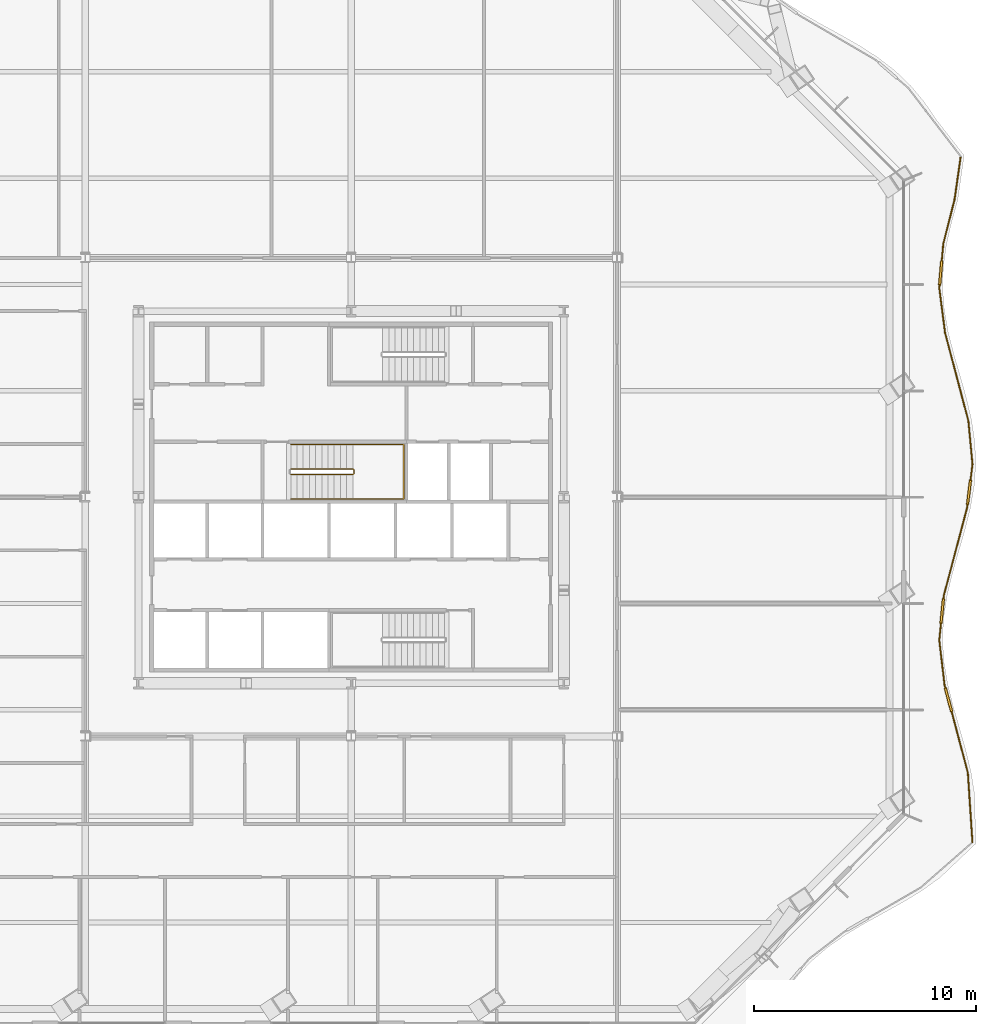
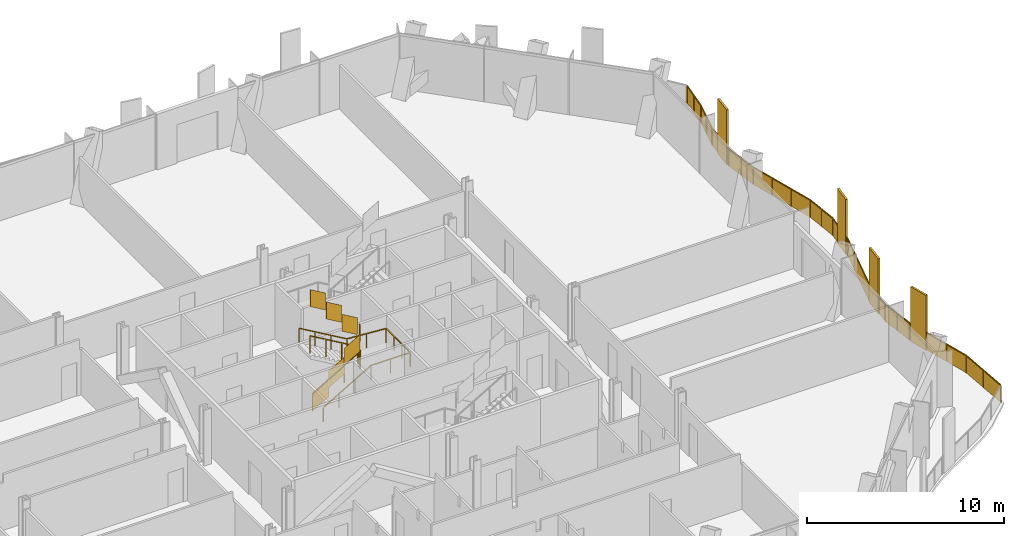
# One storey, part 17 of 20: 3 railings.
"""IFC4 building model written with IfcOpenShell, lengths in metres."""

import ifcopenshell
import ifcopenshell.guid

model = None  # the IFC model being written
_history = None  # IfcOwnerHistory: only IFC2X3 demands one
_inside = {}  # id of a spatial element -> (the spatial element, [elements in it])
_under = {}  # id of a project, library or spatial element -> (it, [spatial elements below it])
_declared = {}  # id of a project -> (the project, [libraries it declares])
_typed = {}  # id of a type object -> (the type object, [elements of that type])
_made_of = {}  # id of a material, layer set ... -> (it, [elements and type objects made of it])


def new_model(schema):
    """Start an empty IFC model of exactly this schema.

    Asked for "IFC4X3", IfcOpenShell would pick the latest addendum, in which some entities
    have other attributes; the version numbers below select the first issue.
    IFC2X3 requires an IfcOwnerHistory on every rooted entity: one is made here for all.
    """
    global model, _history
    if schema == "IFC4X3":
        model = ifcopenshell.file(schema_version=(4, 3, 0, 0))
    else:
        model = ifcopenshell.file(schema=schema)
    _inside.clear()
    _under.clear()
    _declared.clear()
    _typed.clear()
    _made_of.clear()
    _history = None
    if model.schema == "IFC2X3":
        org = make("IfcOrganization", Name="unknown")
        user = make(
            "IfcPersonAndOrganization",
            ThePerson=make("IfcPerson", FamilyName="unknown"),
            TheOrganization=org,
        )
        app = make(
            "IfcApplication",
            ApplicationDeveloper=org,
            Version="unknown",
            ApplicationFullName="unknown",
            ApplicationIdentifier="unknown",
        )
        _history = make(
            "IfcOwnerHistory",
            OwningUser=user,
            OwningApplication=app,
            ChangeAction="ADDED",
            CreationDate=0,
        )
    return model


def make(cls, **values):
    """One entity of the class cls with the attributes given. An attribute that is None is left unset."""
    return model.create_entity(
        cls, **{name: value for name, value in values.items() if value is not None}
    )


def rooted(cls, **values):
    """An entity with a GlobalId (a new one), such as an element, a storey or a relation."""
    return make(cls, GlobalId=ifcopenshell.guid.new(), OwnerHistory=_history, **values)


def si_unit(unit_type, name, prefix=None):
    """IfcSIUnit, for example si_unit("LENGTHUNIT", "METRE", prefix="MILLI")."""
    return make("IfcSIUnit", UnitType=unit_type, Prefix=prefix, Name=name)


def assignment(units):
    """IfcUnitAssignment: the units of a project."""
    return None if units is None else make("IfcUnitAssignment", Units=units)


def point(xyz):
    """IfcCartesianPoint."""
    return None if xyz is None else make("IfcCartesianPoint", Coordinates=xyz)


def direction(xyz):
    """IfcDirection."""
    return None if xyz is None else make("IfcDirection", DirectionRatios=xyz)


def frame(location, z_axis=None, x_axis=None):
    """IfcAxis2Placement3D, a coordinate frame: its origin and axes. An axis left out is left unset."""
    return make(
        "IfcAxis2Placement3D",
        Location=point(location),
        Axis=direction(z_axis),
        RefDirection=direction(x_axis),
    )


def frame_2d(location, x_axis=None):
    """IfcAxis2Placement2D, a coordinate frame in the plane: its origin and x axis."""
    return make(
        "IfcAxis2Placement2D", Location=point(location), RefDirection=direction(x_axis)
    )


def origin():
    """The frame at (0, 0, 0) with its axes left unset."""
    return frame((0.0, 0.0, 0.0))


def origin_2d():
    """The frame at (0, 0) in the plane with its x axis left unset."""
    return frame_2d((0.0, 0.0))


def place(relative_to, where):
    """IfcLocalPlacement: puts the frame where relative to a parent placement (None: the world)."""
    return make(
        "IfcLocalPlacement", PlacementRelTo=relative_to, RelativePlacement=where
    )


def context(
    kind, dimensions, precision=None, world=None, true_north=None, identifier=None
):
    """IfcGeometricRepresentationContext, for example the 3D "Model" context."""
    return make(
        "IfcGeometricRepresentationContext",
        ContextIdentifier=identifier,
        ContextType=kind,
        CoordinateSpaceDimension=dimensions,
        Precision=precision,
        WorldCoordinateSystem=world,
        TrueNorth=true_north,
    )


def subcontext(parent, identifier, kind, view, scale=None):
    """IfcGeometricRepresentationSubContext, for example "Body" below "Model"."""
    return make(
        "IfcGeometricRepresentationSubContext",
        ContextIdentifier=identifier,
        ContextType=kind,
        ParentContext=parent,
        TargetScale=scale,
        TargetView=view,
    )


def project(units=None, contexts=None):
    """IfcProject with its units and contexts."""
    return rooted(
        "IfcProject",
        Name="project",
        RepresentationContexts=contexts,
        UnitsInContext=assignment(units),
    )


def spatial(cls, under=None, at=None, **own):
    """A site, building, storey or space (cls), placed at a placement, below another one or the project."""
    s = rooted(cls, ObjectPlacement=at, **own)
    if under is not None:
        _under.setdefault(under.id(), (under, []))[1].append(s)
    return s


def polyline(points):
    """IfcPolyline through the points."""
    return make("IfcPolyline", Points=[point(p) for p in points])


def profile(cls, at=None, kind="AREA", **sizes):
    """A parametric profile (cls). Its sizes go by their IFC names, for example OverallWidth=200.0."""
    return make(cls, ProfileType=kind, Position=at, **sizes)


def rectangle(**sizes):
    """IfcRectangleProfileDef."""
    return profile("IfcRectangleProfileDef", **sizes)


def outline(outer, holes=None, kind="AREA"):
    """IfcArbitraryClosedProfileDef: a profile drawn as a closed curve; with holes, ...WithVoids."""
    if holes is None:
        return make("IfcArbitraryClosedProfileDef", ProfileType=kind, OuterCurve=outer)
    return make(
        "IfcArbitraryProfileDefWithVoids",
        ProfileType=kind,
        OuterCurve=outer,
        InnerCurves=holes,
    )


def extrude(swept, where, along, depth):
    """IfcExtrudedAreaSolid: the profile swept, set in the frame where, extruded along a direction by depth."""
    return make(
        "IfcExtrudedAreaSolid",
        SweptArea=swept,
        Position=where,
        ExtrudedDirection=direction(along),
        Depth=depth,
    )


def shape(context_of_items, identifier, shape_type, items):
    """IfcShapeRepresentation: the items that make up one representation, for example the "Body"."""
    return make(
        "IfcShapeRepresentation",
        ContextOfItems=context_of_items,
        RepresentationIdentifier=identifier,
        RepresentationType=shape_type,
        Items=items,
    )


def material(Name=None, Category=None):
    """IfcMaterial."""
    return make("IfcMaterial", Name=Name, Category=Category)


def made_of(thing, what):
    """Note that an element or type object is made of a material, layer set ...; save() writes the relation."""
    if what is not None:
        _made_of.setdefault(what.id(), (what, []))[1].append(thing)
    return thing


def type_object(cls, material=None, **own):
    """A type object (cls), such as IfcWallType, which elements share."""
    return made_of(rooted(cls, **own), material)


def element(
    cls,
    number,
    at=None,
    inside=None,
    cuts=None,
    type_object=None,
    material=None,
    context=None,
    identifier="Body",
    shape_type=None,
    held_by="IfcProductDefinitionShape",
    body=None,
    shapes=None,
    **own,
):
    """One element of the class cls, such as IfcWall. Its Tag is "e" and its number.

    at: its placement. inside: the storey or other place that contains it. cuts: it is an
    opening in that element (IfcRelVoidsElement). A single representation is given by context,
    identifier, shape_type and body (its items); several are given by shapes. held_by: the class
    of the entity that holds the representations. save() writes the other relations.
    """
    e = rooted(cls, Tag="e%d" % number, ObjectPlacement=at, **own)
    if body is not None:
        shapes = [shape(context, identifier, shape_type, body)]
    if shapes is not None:
        e.Representation = make(held_by, Representations=shapes)
    if inside is not None:
        _inside.setdefault(inside.id(), (inside, []))[1].append(e)
    if cuts is not None:
        rooted(
            "IfcRelVoidsElement", RelatingBuildingElement=cuts, RelatedOpeningElement=e
        )
    if type_object is not None:
        _typed.setdefault(type_object.id(), (type_object, []))[1].append(e)
    return made_of(e, material)


def aggregate(whole, parts):
    """IfcRelAggregates: a whole, such as a stair, and the parts it consists of."""
    return rooted("IfcRelAggregates", RelatingObject=whole, RelatedObjects=parts)


def save(model, path):
    """Write the relations noted so far, then the file.

    IfcRelAggregates (storeys below a building ...), IfcRelContainedInSpatialStructure (elements
    in a storey), IfcRelDefinesByType, IfcRelAssociatesMaterial and IfcRelDeclares: one each for
    every whole, place, type object, material and project.
    """
    for whole, parts in _under.values():
        aggregate(whole, parts)
    for where, things in _inside.values():
        rooted(
            "IfcRelContainedInSpatialStructure",
            RelatedElements=things,
            RelatingStructure=where,
        )
    for kind, things in _typed.values():
        rooted("IfcRelDefinesByType", RelatedObjects=things, RelatingType=kind)
    for what, things in _made_of.values():
        rooted("IfcRelAssociatesMaterial", RelatedObjects=things, RelatingMaterial=what)
    for by, libraries in _declared.values():
        rooted("IfcRelDeclares", RelatingContext=by, RelatedDefinitions=libraries)
    model.write(path)


model = new_model("IFC4")

# Units and contexts
model_context = context("Model", 3, precision=1e-05, world=origin(), true_north=direction((0.0, 1.0)))
body_context = subcontext(model_context, "Body", "Model", "MODEL_VIEW")
ifc_project = project(units=[si_unit("LENGTHUNIT", "METRE"), si_unit("AREAUNIT", "SQUARE_METRE"), si_unit("VOLUMEUNIT", "CUBIC_METRE"), si_unit("PLANEANGLEUNIT", "RADIAN"), si_unit("MASSUNIT", "GRAM", prefix="KILO")], contexts=[model_context])

# Site, building, storey
site_placement = place(None, origin())
site = spatial("IfcSite", under=ifc_project, at=site_placement, CompositionType="ELEMENT")
building_placement = place(site_placement, origin())
building = spatial("IfcBuilding", under=site, at=building_placement, Name="Cairn Pilgrim Tower", CompositionType="ELEMENT")
storey_placement = place(building_placement, frame((0.0, 0.0, 101.39990234375)))
storey = spatial("IfcBuildingStorey", under=building, at=storey_placement, Name="L24", CompositionType="ELEMENT", Elevation=101.39990234375)

# Railings
ifc_material_1 = material(Name="Bronze anodised aluminium rail, posts and fin screens with laminated glass infill", Category="aluminium")
railing_type_1 = type_object("IfcRailingType", Name="BALCONY GUARD WITH FIN SCREENS", PredefinedType="GUARDRAIL", material=ifc_material_1)
railing_1_placement = place(storey_placement, frame((35.245361328125, -13.178466796875, 0.0)))
element("IfcRailing", 1, at=railing_1_placement, inside=storey, type_object=railing_type_1, Name="Balcony guard BGF-3 with fin screens", PredefinedType="GUARDRAIL", context=body_context, shape_type="SweptSolid", body=[
    extrude(rectangle(XDim=0.050048828125, YDim=0.050048828125, at=origin_2d()), frame((0.0, 0.0, 1.0751953125), z_axis=(-0.065473763639, 0.997854291104, 0.0), x_axis=(-0.997854291104, -0.065473763639, 0.0)), (0.0, 0.0, 1.0), 3.147216796875),
    extrude(rectangle(XDim=1.10009765625, YDim=0.110107421875, at=origin_2d()), frame((-1.080078125, 6.432373046875, 0.0), z_axis=(0.0, 0.0, 1.0), x_axis=(-0.256626282452, 0.966510709281, 0.0)), (0.0, 0.0, 1.0), 3.39990234375),
    extrude(rectangle(XDim=0.050048828125, YDim=0.050048828125, at=origin_2d()), frame((-0.2060546875, 3.140380859375, 1.0751953125), z_axis=(-0.256626282452, 0.966510709281, 0.0), x_axis=(-0.966510709281, -0.256626282452, 0.0)), (0.0, 0.0, 1.0), 2.856201171875),
    extrude(rectangle(XDim=0.050048828125, YDim=0.050048828125, at=origin_2d()), frame((-1.22119140625, 6.964111328125, 1.0751953125), z_axis=(-0.256626282452, 0.966510709281, 0.0), x_axis=(-0.966510709281, -0.256626282452, 0.0)), (0.0, 0.0, 1.0), 0.14990234375),
    extrude(rectangle(XDim=0.050048828125, YDim=0.050048828125, at=origin_2d()), frame((-1.259765625, 7.10888671875, 1.0751953125), z_axis=(-0.11647085906, 0.993194109422, 0.0), x_axis=(-0.993194109422, -0.11647085906, 0.0)), (0.0, 0.0, 1.0), 2.027099609375),
    extrude(rectangle(XDim=1.10009765625, YDim=0.110107421875, at=origin_2d()), frame((-1.363037109375, 10.43994140625, 0.0), z_axis=(0.0, 0.0, 1.0), x_axis=(0.100327489754, 0.994954468707, 0.0)), (0.0, 0.0, 1.0), 3.39990234375),
    extrude(rectangle(XDim=0.050048828125, YDim=0.050048828125, at=origin_2d()), frame((-1.495849609375, 9.1220703125, 1.0751953125), z_axis=(0.100327489754, 0.994954468707, 0.0), x_axis=(-0.994954468707, 0.100327489754, 0.0)), (0.0, 0.0, 1.0), 0.774658203125),
    extrude(rectangle(XDim=0.050048828125, YDim=0.050048828125, at=origin_2d()), frame((-1.307861328125, 10.9873046875, 1.0751953125), z_axis=(0.100327489754, 0.994954468707, 0.0), x_axis=(-0.994954468707, 0.100327489754, 0.0)), (0.0, 0.0, 1.0), 0.14990234375),
    extrude(rectangle(XDim=0.050048828125, YDim=0.050048828125, at=origin_2d()), frame((-1.292724609375, 11.136474609375, 1.0751953125), z_axis=(0.256468664155, 0.966552546066, 0.0), x_axis=(-0.966552546066, 0.256468664155, 0.0)), (0.0, 0.0, 1.0), 4.111328125),
    extrude(rectangle(XDim=1.10009765625, YDim=0.110107421875, at=origin_2d()), frame((-0.15283203125, 15.80517578125, 0.0), z_axis=(0.0, 0.0, 1.0), x_axis=(0.122025917334, 0.992526914244, 0.0)), (0.0, 0.0, 1.0), 3.39990234375),
    extrude(rectangle(XDim=0.050048828125, YDim=0.050048828125, at=origin_2d()), frame((-0.23828125, 15.1103515625, 1.0751953125), z_axis=(0.122025917334, 0.992526914244, 0.0), x_axis=(-0.992526914244, 0.122025917334, 0.0)), (0.0, 0.0, 1.0), 0.150146484375),
    extrude(rectangle(XDim=0.050048828125, YDim=0.050048828125, at=origin_2d()), frame((-0.085693359375, 16.35107421875, 1.0751953125), z_axis=(0.122025917334, 0.992526914244, 0.0), x_axis=(-0.992526914244, 0.122025917334, 0.0)), (0.0, 0.0, 1.0), 0.724609375),
    extrude(rectangle(XDim=0.050048828125, YDim=0.050048828125, at=origin_2d()), frame((0.002685546875, 17.0703125, 1.0751953125), z_axis=(-0.094609876798, 0.995514425416, 0.0), x_axis=(-0.995514425416, -0.094609876798, 0.0)), (0.0, 0.0, 1.0), 1.96630859375),
    extrude(rectangle(XDim=0.050048828125, YDim=0.050048828125, at=origin_2d()), frame((-0.183349609375, 19.02783203125, 1.0751953125), z_axis=(-0.256204617159, 0.966622570679, 0.0), x_axis=(-0.966622570679, -0.256204617159, 0.0)), (0.0, 0.0, 1.0), 4.10693359375),
    extrude(rectangle(XDim=0.050048828125, YDim=0.050048828125, at=origin_2d()), frame((-1.235595703125, 22.997802734375, 1.0751953125), z_axis=(-0.127440564838, 0.991846209064, 0.0), x_axis=(-0.991846209064, -0.127440564838, 0.0)), (0.0, 0.0, 1.0), 2.02880859375),
    extrude(rectangle(XDim=1.10009765625, YDim=0.110107421875, at=origin_2d()), frame((-1.431884765625, 25.707275390625, 0.0), z_axis=(0.0, 0.0, 1.0), x_axis=(0.088848531032, 0.996045148843, 0.0)), (0.0, 0.0, 1.0), 3.39990234375),
    extrude(rectangle(XDim=0.050048828125, YDim=0.050048828125, at=origin_2d()), frame((-1.494140625, 25.010009765625, 1.0751953125), z_axis=(0.088848531032, 0.996045148843, 0.0), x_axis=(-0.996045148843, 0.088848531032, 0.0)), (0.0, 0.0, 1.0), 0.150146484375),
    extrude(rectangle(XDim=0.050048828125, YDim=0.050048828125, at=origin_2d()), frame((-1.383056640625, 26.255126953125, 1.0751953125), z_axis=(0.088848531032, 0.996045148843, 0.0), x_axis=(-0.996045148843, 0.088848531032, 0.0)), (0.0, 0.0, 1.0), 0.772216796875),
    extrude(rectangle(XDim=0.050048828125, YDim=0.050048828125, at=origin_2d()), frame((-1.314453125, 27.0244140625, 1.0751953125), z_axis=(0.247342884955, 0.968928014489, 0.0), x_axis=(-0.968928014489, 0.247342884955, 0.0)), (0.0, 0.0, 1.0), 2.053955078125),
    extrude(rectangle(XDim=0.050048828125, YDim=0.050048828125, at=origin_2d()), frame((-0.806396484375, 29.0146484375, 1.0751953125), z_axis=(0.14167218954, 0.989913627904, 0.0), x_axis=(-0.989913627904, 0.14167218954, 0.0)), (0.0, 0.0, 1.0), 1.90771484375),
    extrude(rectangle(XDim=0.050048828125, YDim=0.050048828125, at=origin_2d()), origin(), (0.0, 0.0, 1.0), 1.050048828125),
    extrude(rectangle(XDim=0.050048828125, YDim=0.050048828125, at=origin_2d()), frame((-0.10302734375, 1.5703125, 0.0)), (0.0, 0.0, 1.0), 1.050048828125),
    extrude(rectangle(XDim=0.050048828125, YDim=0.050048828125, at=origin_2d()), frame((-0.2060546875, 3.140380859375, 0.0)), (0.0, 0.0, 1.0), 1.050048828125),
    extrude(rectangle(XDim=0.050048828125, YDim=0.050048828125, at=origin_2d()), frame((-0.5693359375, 4.508544921875, 0.0)), (0.0, 0.0, 1.0), 1.050048828125),
    extrude(rectangle(XDim=0.050048828125, YDim=0.050048828125, at=origin_2d()), frame((-0.9326171875, 5.876708984375, 0.0)), (0.0, 0.0, 1.0), 1.050048828125),
    extrude(rectangle(XDim=0.050048828125, YDim=0.050048828125, at=origin_2d()), frame((-1.227783203125, 6.98828125, 0.0)), (0.0, 0.0, 1.0), 1.050048828125),
    extrude(rectangle(XDim=0.050048828125, YDim=0.050048828125, at=origin_2d()), frame((-1.259765625, 7.10888671875, 0.0)), (0.0, 0.0, 1.0), 1.050048828125),
    extrude(rectangle(XDim=0.050048828125, YDim=0.050048828125, at=origin_2d()), frame((-1.3779296875, 8.115478515625, 0.0)), (0.0, 0.0, 1.0), 1.050048828125),
    extrude(rectangle(XDim=0.050048828125, YDim=0.050048828125, at=origin_2d()), frame((-1.495849609375, 9.1220703125, 0.0)), (0.0, 0.0, 1.0), 1.050048828125),
    extrude(rectangle(XDim=0.050048828125, YDim=0.050048828125, at=origin_2d()), frame((-1.420654296875, 9.867919921875, 0.0)), (0.0, 0.0, 1.0), 1.050048828125),
    extrude(rectangle(XDim=0.050048828125, YDim=0.050048828125, at=origin_2d()), frame((-1.30517578125, 11.01220703125, 0.0)), (0.0, 0.0, 1.0), 1.050048828125),
    extrude(rectangle(XDim=0.050048828125, YDim=0.050048828125, at=origin_2d()), frame((-1.292724609375, 11.136474609375, 0.0)), (0.0, 0.0, 1.0), 1.050048828125),
    extrude(rectangle(XDim=0.050048828125, YDim=0.050048828125, at=origin_2d()), frame((-0.941162109375, 12.461181640625, 0.0)), (0.0, 0.0, 1.0), 1.050048828125),
    extrude(rectangle(XDim=0.050048828125, YDim=0.050048828125, at=origin_2d()), frame((-0.58984375, 13.78564453125, 0.0)), (0.0, 0.0, 1.0), 1.050048828125),
    extrude(rectangle(XDim=0.050048828125, YDim=0.050048828125, at=origin_2d()), frame((-0.23828125, 15.1103515625, 0.0)), (0.0, 0.0, 1.0), 1.050048828125),
    extrude(rectangle(XDim=0.050048828125, YDim=0.050048828125, at=origin_2d()), frame((-0.222900390625, 15.234619140625, 0.0)), (0.0, 0.0, 1.0), 1.050048828125),
    extrude(rectangle(XDim=0.050048828125, YDim=0.050048828125, at=origin_2d()), frame((-0.082763671875, 16.3759765625, 0.0)), (0.0, 0.0, 1.0), 1.050048828125),
    extrude(rectangle(XDim=0.050048828125, YDim=0.050048828125, at=origin_2d()), frame((0.002685546875, 17.0703125, 0.0)), (0.0, 0.0, 1.0), 1.050048828125),
    extrude(rectangle(XDim=0.050048828125, YDim=0.050048828125, at=origin_2d()), frame((-0.09033203125, 18.049072265625, 0.0)), (0.0, 0.0, 1.0), 1.050048828125),
    extrude(rectangle(XDim=0.050048828125, YDim=0.050048828125, at=origin_2d()), frame((-0.183349609375, 19.02783203125, 0.0)), (0.0, 0.0, 1.0), 1.050048828125),
    extrude(rectangle(XDim=0.050048828125, YDim=0.050048828125, at=origin_2d()), frame((-0.5341796875, 20.35107421875, 0.0)), (0.0, 0.0, 1.0), 1.050048828125),
    extrude(rectangle(XDim=0.050048828125, YDim=0.050048828125, at=origin_2d()), frame((-0.884765625, 21.674560546875, 0.0)), (0.0, 0.0, 1.0), 1.050048828125),
    extrude(rectangle(XDim=0.050048828125, YDim=0.050048828125, at=origin_2d()), frame((-1.235595703125, 22.997802734375, 0.0)), (0.0, 0.0, 1.0), 1.050048828125),
    extrude(rectangle(XDim=0.050048828125, YDim=0.050048828125, at=origin_2d()), frame((-1.36474609375, 24.00390625, 0.0)), (0.0, 0.0, 1.0), 1.050048828125),
    extrude(rectangle(XDim=0.050048828125, YDim=0.050048828125, at=origin_2d()), frame((-1.494140625, 25.010009765625, 0.0)), (0.0, 0.0, 1.0), 1.050048828125),
    extrude(rectangle(XDim=0.050048828125, YDim=0.050048828125, at=origin_2d()), frame((-1.48291015625, 25.134521484375, 0.0)), (0.0, 0.0, 1.0), 1.050048828125),
    extrude(rectangle(XDim=0.050048828125, YDim=0.050048828125, at=origin_2d()), frame((-1.380859375, 26.280029296875, 0.0)), (0.0, 0.0, 1.0), 1.050048828125),
    extrude(rectangle(XDim=0.050048828125, YDim=0.050048828125, at=origin_2d()), frame((-1.314453125, 27.0244140625, 0.0)), (0.0, 0.0, 1.0), 1.050048828125),
    extrude(rectangle(XDim=0.050048828125, YDim=0.050048828125, at=origin_2d()), frame((-1.060546875, 28.01953125, 0.0)), (0.0, 0.0, 1.0), 1.050048828125),
    extrude(rectangle(XDim=0.050048828125, YDim=0.050048828125, at=origin_2d()), frame((-0.806396484375, 29.0146484375, 0.0)), (0.0, 0.0, 1.0), 1.050048828125),
    extrude(rectangle(XDim=0.050048828125, YDim=0.050048828125, at=origin_2d()), frame((-0.67138671875, 29.958984375, 0.0)), (0.0, 0.0, 1.0), 1.050048828125),
    extrude(rectangle(XDim=0.050048828125, YDim=0.050048828125, at=origin_2d()), frame((-0.5361328125, 30.903076171875, 0.0)), (0.0, 0.0, 1.0), 1.050048828125),
    extrude(outline(polyline([(0.02490234375, 0.0), (1.548583984375, 0.0), (1.548583984375, 1.050048828125), (0.02490234375, 1.050048828125), (0.02490234375, 0.0)])), frame((-0.005859375, -0.00048828125, 0.0), z_axis=(0.997854291104, 0.065473763639, 0.0), x_axis=(-0.065473763639, 0.997854291104, 0.0)), (0.0, 0.0, 1.0), 0.011962890625),
    extrude(outline(polyline([(0.02490234375, 0.0), (1.548583984375, 0.0), (1.548583984375, 1.050048828125), (0.02490234375, 1.050048828125), (0.02490234375, 0.0)])), frame((-0.10888671875, 1.56982421875, 0.0), z_axis=(0.997854291104, 0.065473763639, 0.0), x_axis=(-0.065473763639, 0.997854291104, 0.0)), (0.0, 0.0, 1.0), 0.011962890625),
    extrude(outline(polyline([(0.02490234375, 0.0), (1.390625, 0.0), (1.390625, 1.050048828125), (0.02490234375, 1.050048828125), (0.02490234375, 0.0)])), frame((-0.2119140625, 3.138916015625, 0.0), z_axis=(0.966510709281, 0.256626282452, 0.0), x_axis=(-0.256626282452, 0.966510709281, 0.0)), (0.0, 0.0, 1.0), 0.011962890625),
    extrude(outline(polyline([(0.02490234375, 0.0), (1.390625, 0.0), (1.390625, 1.050048828125), (0.02490234375, 1.050048828125), (0.02490234375, 0.0)])), frame((-0.5751953125, 4.507080078125, 0.0), z_axis=(0.966510709281, 0.256626282452, 0.0), x_axis=(-0.256626282452, 0.966510709281, 0.0)), (0.0, 0.0, 1.0), 0.011962890625),
    extrude(outline(polyline([(0.02490234375, 0.0), (0.099853515625, 0.0), (0.099853515625, 1.050048828125), (0.02490234375, 1.050048828125), (0.02490234375, 0.0)])), frame((-1.2333984375, 6.98681640625, 0.0), z_axis=(0.966510709281, 0.256626282452, 0.0), x_axis=(-0.256626282452, 0.966510709281, 0.0)), (0.0, 0.0, 1.0), 0.011962890625),
    extrude(outline(polyline([(0.02490234375, 0.0), (0.988525390625, 0.0), (0.988525390625, 1.050048828125), (0.02490234375, 1.050048828125), (0.02490234375, 0.0)])), frame((-1.265625, 7.108154296875, 0.0), z_axis=(0.993194109422, 0.11647085906, 0.0), x_axis=(-0.11647085906, 0.993194109422, 0.0)), (0.0, 0.0, 1.0), 0.011962890625),
    extrude(outline(polyline([(0.02490234375, 0.0), (0.988525390625, 0.0), (0.988525390625, 1.050048828125), (0.02490234375, 1.050048828125), (0.02490234375, 0.0)])), frame((-1.3837890625, 8.11474609375, 0.0), z_axis=(0.993194109422, 0.11647085906, 0.0), x_axis=(-0.11647085906, 0.993194109422, 0.0)), (0.0, 0.0, 1.0), 0.011962890625),
    extrude(outline(polyline([(0.02490234375, 0.0), (0.724609375, 0.0), (0.724609375, 1.050048828125), (0.02490234375, 1.050048828125), (0.02490234375, 0.0)])), frame((-1.501708984375, 9.12255859375, 0.0), z_axis=(0.994954468707, -0.100327489754, 0.0), x_axis=(0.100327489754, 0.994954468707, 0.0)), (0.0, 0.0, 1.0), 0.011962890625),
    extrude(outline(polyline([(0.02490234375, 0.0), (0.099853515625, 0.0), (0.099853515625, 1.050048828125), (0.02490234375, 1.050048828125), (0.02490234375, 0.0)])), frame((-1.311279296875, 11.0126953125, 0.0), z_axis=(0.994954468707, -0.100327489754, 0.0), x_axis=(0.100327489754, 0.994954468707, 0.0)), (0.0, 0.0, 1.0), 0.011962890625),
    extrude(outline(polyline([(0.02490234375, 0.0), (1.345458984375, 0.0), (1.345458984375, 1.050048828125), (0.02490234375, 1.050048828125), (0.02490234375, 0.0)])), frame((-1.298583984375, 11.137939453125, 0.0), z_axis=(0.966552546066, -0.256468664155, 0.0), x_axis=(0.256468664155, 0.966552546066, 0.0)), (0.0, 0.0, 1.0), 0.011962890625),
    extrude(outline(polyline([(0.02490234375, 0.0), (1.345458984375, 0.0), (1.345458984375, 1.050048828125), (0.02490234375, 1.050048828125), (0.02490234375, 0.0)])), frame((-0.947021484375, 12.462646484375, 0.0), z_axis=(0.966552546066, -0.256468664155, 0.0), x_axis=(0.256468664155, 0.966552546066, 0.0)), (0.0, 0.0, 1.0), 0.011962890625),
    extrude(outline(polyline([(0.02490234375, 0.0), (1.345458984375, 0.0), (1.345458984375, 1.050048828125), (0.02490234375, 1.050048828125), (0.02490234375, 0.0)])), frame((-0.595458984375, 13.787353515625, 0.0), z_axis=(0.966552546066, -0.256468664155, 0.0), x_axis=(0.256468664155, 0.966552546066, 0.0)), (0.0, 0.0, 1.0), 0.011962890625),
    extrude(outline(polyline([(0.02490234375, 0.0), (0.10009765625, 0.0), (0.10009765625, 1.050048828125), (0.02490234375, 1.050048828125), (0.02490234375, 0.0)])), frame((-0.244140625, 15.111083984375, 0.0), z_axis=(0.992526914244, -0.122025917334, 0.0), x_axis=(0.122025917334, 0.992526914244, 0.0)), (0.0, 0.0, 1.0), 0.011962890625),
    extrude(outline(polyline([(0.02490234375, 0.0), (0.674560546875, 0.0), (0.674560546875, 1.050048828125), (0.02490234375, 1.050048828125), (0.02490234375, 0.0)])), frame((-0.088623046875, 16.376708984375, 0.0), z_axis=(0.992526914244, -0.122025917334, 0.0), x_axis=(0.122025917334, 0.992526914244, 0.0)), (0.0, 0.0, 1.0), 0.011962890625),
    extrude(outline(polyline([(0.02490234375, 0.0), (0.958251953125, 0.0), (0.958251953125, 1.050048828125), (0.02490234375, 1.050048828125), (0.02490234375, 0.0)])), frame((-0.003173828125, 17.06982421875, 0.0), z_axis=(0.995514425416, 0.094609876798, 0.0), x_axis=(-0.094609876798, 0.995514425416, 0.0)), (0.0, 0.0, 1.0), 0.011962890625),
    extrude(outline(polyline([(0.02490234375, 0.0), (0.958251953125, 0.0), (0.958251953125, 1.050048828125), (0.02490234375, 1.050048828125), (0.02490234375, 0.0)])), frame((-0.09619140625, 18.048583984375, 0.0), z_axis=(0.995514425416, 0.094609876798, 0.0), x_axis=(-0.094609876798, 0.995514425416, 0.0)), (0.0, 0.0, 1.0), 0.011962890625),
    extrude(outline(polyline([(0.02490234375, 0.0), (1.343994140625, 0.0), (1.343994140625, 1.050048828125), (0.02490234375, 1.050048828125), (0.02490234375, 0.0)])), frame((-0.189208984375, 19.0263671875, 0.0), z_axis=(0.966622570679, 0.256204617159, 0.0), x_axis=(-0.256204617159, 0.966622570679, 0.0)), (0.0, 0.0, 1.0), 0.011962890625),
    extrude(outline(polyline([(0.02490234375, 0.0), (1.343994140625, 0.0), (1.343994140625, 1.050048828125), (0.02490234375, 1.050048828125), (0.02490234375, 0.0)])), frame((-0.539794921875, 20.349609375, 0.0), z_axis=(0.966622570679, 0.256204617159, 0.0), x_axis=(-0.256204617159, 0.966622570679, 0.0)), (0.0, 0.0, 1.0), 0.011962890625),
    extrude(outline(polyline([(0.02490234375, 0.0), (1.343994140625, 0.0), (1.343994140625, 1.050048828125), (0.02490234375, 1.050048828125), (0.02490234375, 0.0)])), frame((-0.890625, 21.6728515625, 0.0), z_axis=(0.966622570679, 0.256204617159, 0.0), x_axis=(-0.256204617159, 0.966622570679, 0.0)), (0.0, 0.0, 1.0), 0.011962890625),
    extrude(outline(polyline([(0.02490234375, 0.0), (0.9892578125, 0.0), (0.9892578125, 1.050048828125), (0.02490234375, 1.050048828125), (0.02490234375, 0.0)])), frame((-1.241455078125, 22.9970703125, 0.0), z_axis=(0.991846209064, 0.127440564838, 0.0), x_axis=(-0.127440564838, 0.991846209064, 0.0)), (0.0, 0.0, 1.0), 0.011962890625),
    extrude(outline(polyline([(0.02490234375, 0.0), (0.9892578125, 0.0), (0.9892578125, 1.050048828125), (0.02490234375, 1.050048828125), (0.02490234375, 0.0)])), frame((-1.370849609375, 24.003173828125, 0.0), z_axis=(0.991846209064, 0.127440564838, 0.0), x_axis=(-0.127440564838, 0.991846209064, 0.0)), (0.0, 0.0, 1.0), 0.011962890625),
    extrude(outline(polyline([(0.02490234375, 0.0), (0.10009765625, 0.0), (0.10009765625, 1.050048828125), (0.02490234375, 1.050048828125), (0.02490234375, 0.0)])), frame((-1.5, 25.010498046875, 0.0), z_axis=(0.996045148843, -0.088848531032, 0.0), x_axis=(0.088848531032, 0.996045148843, 0.0)), (0.0, 0.0, 1.0), 0.011962890625),
    extrude(outline(polyline([(0.02490234375, 0.0), (0.72216796875, 0.0), (0.72216796875, 1.050048828125), (0.02490234375, 1.050048828125), (0.02490234375, 0.0)])), frame((-1.38671875, 26.280517578125, 0.0), z_axis=(0.996045148843, -0.088848531032, 0.0), x_axis=(0.088848531032, 0.996045148843, 0.0)), (0.0, 0.0, 1.0), 0.011962890625),
    extrude(outline(polyline([(0.02490234375, 0.0), (1.001953125, 0.0), (1.001953125, 1.050048828125), (0.02490234375, 1.050048828125), (0.02490234375, 0.0)])), frame((-1.3203125, 27.02587890625, 0.0), z_axis=(0.968928014489, -0.247342884955, 0.0), x_axis=(0.247342884955, 0.968928014489, 0.0)), (0.0, 0.0, 1.0), 0.011962890625),
    extrude(outline(polyline([(0.02490234375, 0.0), (1.001953125, 0.0), (1.001953125, 1.050048828125), (0.02490234375, 1.050048828125), (0.02490234375, 0.0)])), frame((-1.066162109375, 28.02099609375, 0.0), z_axis=(0.968928014489, -0.247342884955, 0.0), x_axis=(0.247342884955, 0.968928014489, 0.0)), (0.0, 0.0, 1.0), 0.011962890625),
    extrude(outline(polyline([(0.02490234375, 0.0), (0.9287109375, 0.0), (0.9287109375, 1.050048828125), (0.02490234375, 1.050048828125), (0.02490234375, 0.0)])), frame((-0.812255859375, 29.015380859375, 0.0), z_axis=(0.989913627904, -0.14167218954, 0.0), x_axis=(0.14167218954, 0.989913627904, 0.0)), (0.0, 0.0, 1.0), 0.011962890625),
    extrude(outline(polyline([(0.02490234375, 0.0), (0.9287109375, 0.0), (0.9287109375, 1.050048828125), (0.02490234375, 1.050048828125), (0.02490234375, 0.0)])), frame((-0.67724609375, 29.959716796875, 0.0), z_axis=(0.989913627904, -0.14167218954, 0.0), x_axis=(0.14167218954, 0.989913627904, 0.0)), (0.0, 0.0, 1.0), 0.011962890625),
])
ifc_material_2 = material(Name="Painted steel", Category="steel")
railing_type_2 = type_object("IfcRailingType", Name="STAIR GUARD 1100", PredefinedType="GUARDRAIL", material=ifc_material_2)
railing_2_placement = place(storey_placement, frame((4.47509765625, 3.425048828125, 0.163818359375)))
element("IfcRailing", 2, at=railing_2_placement, inside=storey, type_object=railing_type_2, Name="L24 ST-B stair guard 1", PredefinedType="GUARDRAIL", context=body_context, shape_type="SweptSolid", body=[
    extrude(rectangle(XDim=0.048095703125, YDim=0.048095703125, at=origin_2d()), frame((0.0, 0.0, 1.076171875), z_axis=(0.863374499697, 0.0, 0.504563646405), x_axis=(0.0, 1.0, 0.0)), (0.0, 0.0, 1.0), 3.242919921875),
    extrude(rectangle(XDim=0.048095703125, YDim=0.048095703125, at=origin_2d()), frame((2.7998046875, 0.0, 2.71240234375), z_axis=(0.707106781187, 0.707106781187, 0.0), x_axis=(-0.707106781187, 0.707106781187, 0.0)), (0.0, 0.0, 1.0), 0.07080078125),
    extrude(rectangle(XDim=0.048095703125, YDim=0.048095703125, at=origin_2d()), frame((2.849853515625, 0.050048828125, 2.71240234375), z_axis=(0.0, 1.0, 0.0), x_axis=(-1.0, 0.0, 0.0)), (0.0, 0.0, 1.0), 0.14990234375),
    extrude(rectangle(XDim=0.048095703125, YDim=0.048095703125, at=origin_2d()), frame((2.849853515625, 0.199951171875, 2.71240234375), z_axis=(-0.280808744504, 0.280808744504, 0.917765164963), x_axis=(-0.707106781187, -0.707106781187, 0.0)), (0.0, 0.0, 1.0), 0.17822265625),
    extrude(rectangle(XDim=0.048095703125, YDim=0.048095703125, at=origin_2d()), frame((2.7998046875, 0.25, 2.8759765625), z_axis=(-0.863341702679, 0.0, 0.504619762213), x_axis=(0.0, -1.0, 0.0)), (0.0, 0.0, 1.0), 3.242919921875),
    extrude(rectangle(XDim=0.0419921875, YDim=0.0419921875, at=origin_2d()), origin(), (0.0, 0.0, 1.0), 1.052001953125),
    extrude(rectangle(XDim=0.0419921875, YDim=0.0419921875, at=origin_2d()), frame((0.933349609375, 0.0, 0.54541015625)), (0.0, 0.0, 1.0), 1.052001953125),
    extrude(rectangle(XDim=0.0419921875, YDim=0.0419921875, at=origin_2d()), frame((1.866455078125, 0.0, 1.0908203125)), (0.0, 0.0, 1.0), 1.052001953125),
    extrude(rectangle(XDim=0.0419921875, YDim=0.0419921875, at=origin_2d()), frame((2.7998046875, 0.0, 1.63623046875)), (0.0, 0.0, 1.0), 1.052001953125),
    extrude(rectangle(XDim=0.0419921875, YDim=0.0419921875, at=origin_2d()), frame((2.849853515625, 0.050048828125, 1.63623046875)), (0.0, 0.0, 1.0), 1.052001953125),
    extrude(rectangle(XDim=0.0419921875, YDim=0.0419921875, at=origin_2d()), frame((2.849853515625, 0.199951171875, 1.63623046875)), (0.0, 0.0, 1.0), 1.052001953125),
    extrude(rectangle(XDim=0.0419921875, YDim=0.0419921875, at=origin_2d()), frame((2.7998046875, 0.25, 1.7998046875)), (0.0, 0.0, 1.0), 1.052001953125),
    extrude(rectangle(XDim=0.0419921875, YDim=0.0419921875, at=origin_2d()), frame((1.866455078125, 0.25, 2.34521484375)), (0.0, 0.0, 1.0), 1.052001953125),
    extrude(rectangle(XDim=0.0419921875, YDim=0.0419921875, at=origin_2d()), frame((0.933349609375, 0.25, 2.890869140625)), (0.0, 0.0, 1.0), 1.052001953125),
    extrude(rectangle(XDim=0.0419921875, YDim=0.0419921875, at=origin_2d()), frame((0.0, 0.25, 3.436279296875)), (0.0, 0.0, 1.0), 1.052001953125),
    extrude(outline(polyline([(0.02099609375, 0.01220703125), (0.912353515625, 0.533203125), (0.912353515625, 1.585205078125), (0.02099609375, 1.064208984375), (0.02099609375, 0.01220703125)])), frame((0.0, 0.005859375, 0.0), z_axis=(0.0, -1.0, 0.0), x_axis=(1.0, 0.0, 0.0)), (0.0, 0.0, 1.0), 0.011962890625),
    extrude(outline(polyline([(0.02099609375, 0.5576171875), (0.912353515625, 1.07861328125), (0.912353515625, 2.130615234375), (0.02099609375, 1.609619140625), (0.02099609375, 0.5576171875)])), frame((0.933349609375, 0.005859375, 0.54541015625), z_axis=(0.0, -1.0, 0.0), x_axis=(1.0, 0.0, 0.0)), (0.0, 0.0, 1.0), 0.011962890625),
    extrude(outline(polyline([(0.02099609375, 1.10302734375), (0.912353515625, 1.6240234375), (0.912353515625, 2.676025390625), (0.02099609375, 2.155029296875), (0.02099609375, 1.10302734375)])), frame((1.866455078125, 0.005859375, 1.0908203125), z_axis=(0.0, -1.0, 0.0), x_axis=(1.0, 0.0, 0.0)), (0.0, 0.0, 1.0), 0.011962890625),
    extrude(outline(polyline([(0.02099609375, 1.63623046875), (0.12890625, 1.63623046875), (0.12890625, 2.688232421875), (0.02099609375, 2.688232421875), (0.02099609375, 1.63623046875)])), frame((2.84375, 0.050048828125, 1.63623046875), z_axis=(1.0, 0.0, 0.0), x_axis=(0.0, 1.0, 0.0)), (0.0, 0.0, 1.0), 0.011962890625),
    extrude(outline(polyline([(0.02099609375, 1.81201171875), (0.912353515625, 2.3330078125), (0.912353515625, 3.385009765625), (0.02099609375, 2.864013671875), (0.02099609375, 1.81201171875)])), frame((2.7998046875, 0.244140625, 1.7998046875), z_axis=(0.0, 1.0, 0.0), x_axis=(-1.0, 0.0, 0.0)), (0.0, 0.0, 1.0), 0.011962890625),
    extrude(outline(polyline([(0.02099609375, 2.357666015625), (0.912353515625, 2.87841796875), (0.912353515625, 3.930419921875), (0.02099609375, 3.40966796875), (0.02099609375, 2.357666015625)])), frame((1.866455078125, 0.244140625, 2.34521484375), z_axis=(0.0, 1.0, 0.0), x_axis=(-1.0, 0.0, 0.0)), (0.0, 0.0, 1.0), 0.011962890625),
    extrude(outline(polyline([(0.02099609375, 2.903076171875), (0.912353515625, 3.424072265625), (0.912353515625, 4.47607421875), (0.02099609375, 3.955078125), (0.02099609375, 2.903076171875)])), frame((0.933349609375, 0.244140625, 2.890869140625), z_axis=(0.0, 1.0, 0.0), x_axis=(-1.0, 0.0, 0.0)), (0.0, 0.0, 1.0), 0.011962890625),
])
railing_type_3 = type_object("IfcRailingType", Name="STAIR HANDRAIL 900", PredefinedType="HANDRAIL", material=ifc_material_2)
railing_3_placement = place(storey_placement, frame((4.47509765625, 2.324951171875, 0.163818359375)))
element("IfcRailing", 3, at=railing_3_placement, inside=storey, type_object=railing_type_3, Name="L24 ST-B stair handrail 1", PredefinedType="HANDRAIL", context=body_context, shape_type="SweptSolid", body=[
    extrude(rectangle(XDim=0.048095703125, YDim=0.048095703125, at=origin_2d()), frame((0.0, 0.0, 0.8759765625), z_axis=(0.863374499697, 0.0, 0.504563646405), x_axis=(0.0, 1.0, 0.0)), (0.0, 0.0, 1.0), 3.242919921875),
    extrude(rectangle(XDim=0.048095703125, YDim=0.048095703125, at=origin_2d()), frame((2.7998046875, 0.0, 2.51220703125), z_axis=(1.0, 0.0, 0.0), x_axis=(0.0, 1.0, 0.0)), (0.0, 0.0, 1.0), 2.300048828125),
    extrude(rectangle(XDim=0.048095703125, YDim=0.048095703125, at=origin_2d()), frame((5.099853515625, 0.0, 2.51220703125), z_axis=(0.0, 1.0, 0.0), x_axis=(-1.0, 0.0, 0.0)), (0.0, 0.0, 1.0), 2.449951171875),
    extrude(rectangle(XDim=0.048095703125, YDim=0.048095703125, at=origin_2d()), frame((5.099853515625, 2.449951171875, 2.51220703125), z_axis=(-0.997480687736, 0.0, 0.070938548008), x_axis=(0.0, -1.0, 0.0)), (0.0, 0.0, 1.0), 2.305908203125),
    extrude(rectangle(XDim=0.048095703125, YDim=0.048095703125, at=origin_2d()), frame((2.7998046875, 2.449951171875, 2.67578125), z_axis=(-0.863341702679, 0.0, 0.504619762213), x_axis=(0.0, -1.0, 0.0)), (0.0, 0.0, 1.0), 3.242919921875),
    extrude(rectangle(XDim=0.0419921875, YDim=0.0419921875, at=origin_2d()), origin(), (0.0, 0.0, 1.0), 0.851806640625),
    extrude(rectangle(XDim=0.0419921875, YDim=0.0419921875, at=origin_2d()), frame((0.933349609375, 0.0, 0.54541015625)), (0.0, 0.0, 1.0), 0.851806640625),
    extrude(rectangle(XDim=0.0419921875, YDim=0.0419921875, at=origin_2d()), frame((1.866455078125, 0.0, 1.0908203125)), (0.0, 0.0, 1.0), 0.851806640625),
    extrude(rectangle(XDim=0.0419921875, YDim=0.0419921875, at=origin_2d()), frame((2.7998046875, 0.0, 1.63623046875)), (0.0, 0.0, 1.0), 0.851806640625),
    extrude(rectangle(XDim=0.0419921875, YDim=0.0419921875, at=origin_2d()), frame((3.94970703125, 0.0, 1.63623046875)), (0.0, 0.0, 1.0), 0.851806640625),
    extrude(rectangle(XDim=0.0419921875, YDim=0.0419921875, at=origin_2d()), frame((5.099853515625, 0.0, 1.63623046875)), (0.0, 0.0, 1.0), 0.851806640625),
    extrude(rectangle(XDim=0.0419921875, YDim=0.0419921875, at=origin_2d()), frame((5.099853515625, 0.816650390625, 1.63623046875)), (0.0, 0.0, 1.0), 0.851806640625),
    extrude(rectangle(XDim=0.0419921875, YDim=0.0419921875, at=origin_2d()), frame((5.099853515625, 1.63330078125, 1.63623046875)), (0.0, 0.0, 1.0), 0.851806640625),
    extrude(rectangle(XDim=0.0419921875, YDim=0.0419921875, at=origin_2d()), frame((5.099853515625, 2.449951171875, 1.63623046875)), (0.0, 0.0, 1.0), 0.851806640625),
    extrude(rectangle(XDim=0.0419921875, YDim=0.0419921875, at=origin_2d()), frame((3.94970703125, 2.449951171875, 1.718017578125)), (0.0, 0.0, 1.0), 0.851806640625),
    extrude(rectangle(XDim=0.0419921875, YDim=0.0419921875, at=origin_2d()), frame((2.7998046875, 2.449951171875, 1.7998046875)), (0.0, 0.0, 1.0), 0.851806640625),
    extrude(rectangle(XDim=0.0419921875, YDim=0.0419921875, at=origin_2d()), frame((1.866455078125, 2.449951171875, 2.34521484375)), (0.0, 0.0, 1.0), 0.851806640625),
    extrude(rectangle(XDim=0.0419921875, YDim=0.0419921875, at=origin_2d()), frame((0.933349609375, 2.449951171875, 2.890869140625)), (0.0, 0.0, 1.0), 0.851806640625),
    extrude(rectangle(XDim=0.0419921875, YDim=0.0419921875, at=origin_2d()), frame((0.0, 2.449951171875, 3.436279296875)), (0.0, 0.0, 1.0), 0.851806640625),
])

save(model, "model.ifc")
